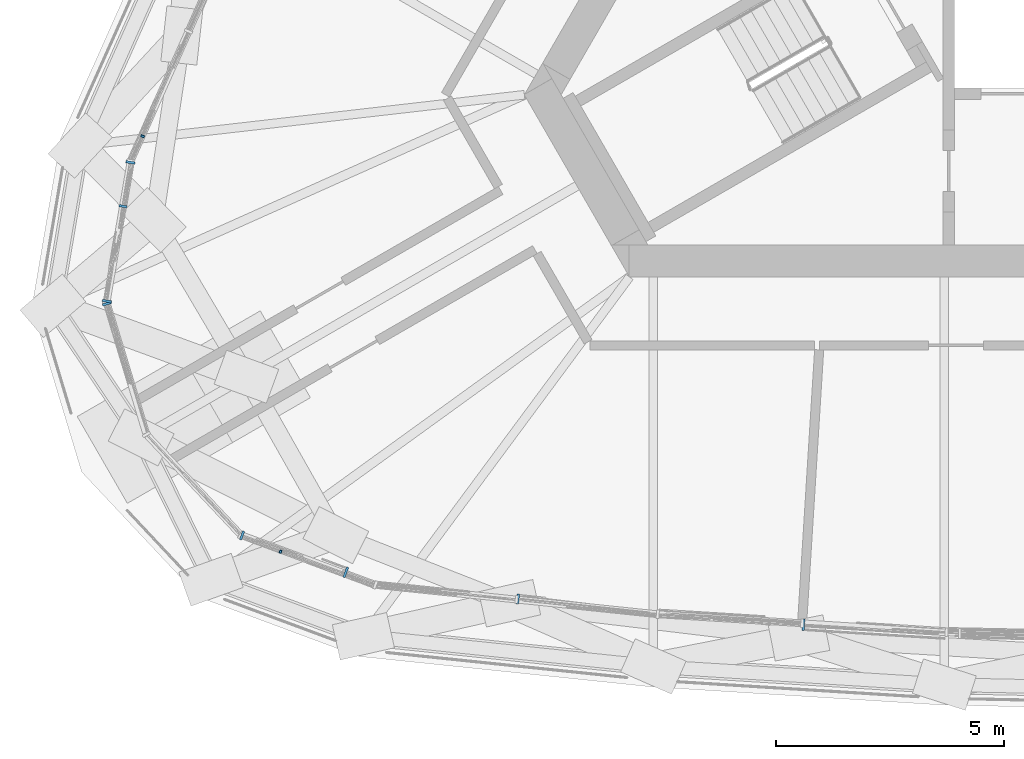
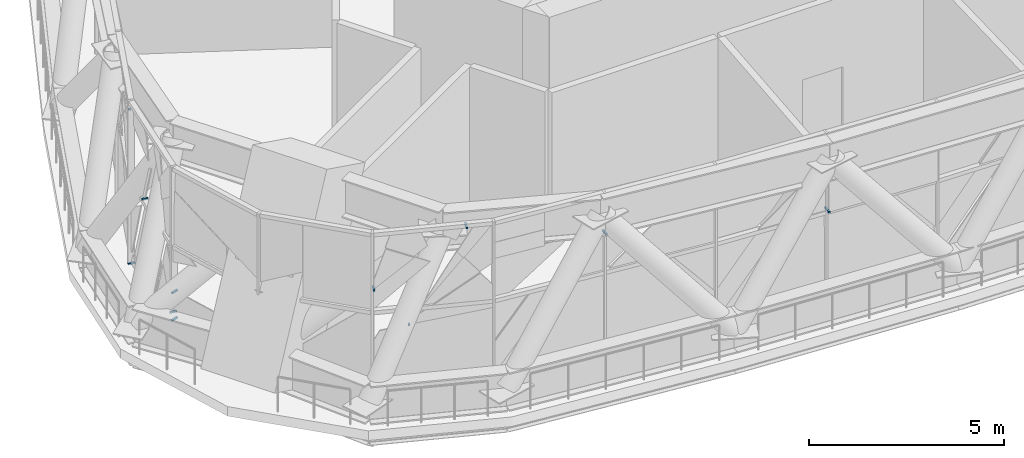
# One storey, part 25 of 33: 11 discrete accessories, 3 elements without a shape of their own.
"""IFC4 building model written with IfcOpenShell, lengths in metres."""

from ifc_helpers import new_model, si_unit, direction, frame, origin, origin_2d, place, context, subcontext, project, spatial, rectangle, extrude, material, layer, layer_set, type_object, element, aggregate, save


model = new_model("IFC4")

# Units and contexts
model_context = context("Model", 3, precision=1e-05, world=origin(), true_north=direction((0.0, 1.0)))
body_context = subcontext(model_context, "Body", "Model", "MODEL_VIEW")
ifc_project = project(units=[si_unit("LENGTHUNIT", "METRE"), si_unit("AREAUNIT", "SQUARE_METRE"), si_unit("VOLUMEUNIT", "CUBIC_METRE"), si_unit("PLANEANGLEUNIT", "RADIAN"), si_unit("MASSUNIT", "GRAM", prefix="KILO")], contexts=[model_context])

# Site, building, storey
site_placement = place(None, origin())
site = spatial("IfcSite", under=ifc_project, at=site_placement, CompositionType="ELEMENT")
building_placement = place(site_placement, origin())
building = spatial("IfcBuilding", under=site, at=building_placement, Name="Mestral Congress Tower", CompositionType="ELEMENT")
storey_placement = place(building_placement, frame((0.0, 0.0, 256.199951171875)))
storey = spatial("IfcBuildingStorey", under=building, at=storey_placement, Name="L60", CompositionType="ELEMENT", Elevation=256.199951171875)

# Curtain wall, discrete accessories
ifc_material_1 = material(Name="Clear low-emissivity double glazing", Category="glass")
curtain_wall_type = type_object("IfcCurtainWallType", Name="Facade refuge band screen", PredefinedType="USERDEFINED", material=ifc_material_1)
placement = place(storey_placement, origin())
curtain_wall_1 = element("IfcCurtainWall", 1, at=placement, inside=storey, type_object=curtain_wall_type, Name="Facade refuge band screen face 1", ObjectType="CURTAIN WALL", PredefinedType="USERDEFINED")
ifc_material_2 = material(Name="Steel S355", Category="steel")
ifc_layer = layer(ifc_material_2, 0.050048828125)
ifc_layer_set = layer_set([ifc_layer], Name="Steel S355")
discrete_accessory_type = type_object("IfcDiscreteAccessoryType", Name="Facade bracket", PredefinedType="BRACKET", material=ifc_layer_set)
discrete_accessory_1_placement = place(storey_placement, frame((-15.758544921875, -17.419189453125, 3.77392578125), z_axis=(0.0, 0.0, 1.0), x_axis=(0.994604228294, -0.103742127705, 0.0)))
discrete_accessory_1 = element("IfcDiscreteAccessory", 2, at=discrete_accessory_1_placement, type_object=discrete_accessory_type, Name="Facade bracket", PredefinedType="BRACKET", context=body_context, shape_type="SweptSolid", body=[
    extrude(rectangle(XDim=0.052978515625, YDim=0.224609375, at=origin_2d()), origin(), (0.0, 0.0, 1.0), 0.050048828125),
])
discrete_accessory_2_placement = place(storey_placement, frame((-9.4912109375, -17.9833984375, 2.63525390625), z_axis=(0.0, 0.0, 1.0), x_axis=(0.99806185884, -0.062229622595, 0.0)))
discrete_accessory_2 = element("IfcDiscreteAccessory", 3, at=discrete_accessory_2_placement, type_object=discrete_accessory_type, Name="Facade bracket", PredefinedType="BRACKET", context=body_context, shape_type="SweptSolid", body=[
    extrude(rectangle(XDim=0.050048828125, YDim=0.260009765625, at=origin_2d()), origin(), (0.0, 0.0, 1.0), 0.050048828125),
])
aggregate(curtain_wall_1, [discrete_accessory_1, discrete_accessory_2])

# Curtain wall, discrete accessory
curtain_wall_2 = element("IfcCurtainWall", 4, at=placement, inside=storey, type_object=curtain_wall_type, Name="Facade refuge band screen face 3", ObjectType="CURTAIN WALL", PredefinedType="USERDEFINED")
discrete_accessory_3_placement = place(storey_placement, frame((-23.996337890625, -7.259521484375, 4.36279296875), z_axis=(0.0, 0.0, 1.0), x_axis=(-0.407597458613, -0.913161711709, 0.0)))
discrete_accessory_3 = element("IfcDiscreteAccessory", 5, at=discrete_accessory_3_placement, type_object=discrete_accessory_type, Name="Facade bracket", PredefinedType="BRACKET", context=body_context, shape_type="SweptSolid", body=[
    extrude(rectangle(XDim=0.050048828125, YDim=0.076416015625, at=origin_2d()), origin(), (0.0, 0.0, 1.0), 0.050048828125),
])
aggregate(curtain_wall_2, [discrete_accessory_3])

# Curtain wall, discrete accessories
curtain_wall_3 = element("IfcCurtainWall", 6, at=placement, inside=storey, type_object=curtain_wall_type, Name="Facade refuge band screen corner 3", ObjectType="CURTAIN WALL", PredefinedType="USERDEFINED")
discrete_accessory_4_placement = place(storey_placement, frame((-24.78369140625, -10.87939453125, 0.48486328125), z_axis=(0.0, 0.0, 1.0), x_axis=(-0.167630847602, -0.985849835894, 0.0)))
discrete_accessory_4 = element("IfcDiscreteAccessory", 7, at=discrete_accessory_4_placement, type_object=discrete_accessory_type, Name="Facade bracket", PredefinedType="BRACKET", context=body_context, shape_type="SweptSolid", body=[
    extrude(rectangle(XDim=0.050048828125, YDim=0.199951171875, at=origin_2d()), origin(), (0.0, 0.0, 1.0), 0.050048828125),
])
discrete_accessory_5_placement = place(storey_placement, frame((-21.8134765625, -16.0234375, 3.2939453125), z_axis=(0.0, 0.0, 1.0), x_axis=(0.937601598668, -0.34771143521, 0.0)))
discrete_accessory_5 = element("IfcDiscreteAccessory", 8, at=discrete_accessory_5_placement, type_object=discrete_accessory_type, Name="Facade bracket", PredefinedType="BRACKET", context=body_context, shape_type="SweptSolid", body=[
    extrude(rectangle(XDim=0.050048828125, YDim=0.199951171875, at=origin_2d()), origin(), (0.0, 0.0, 1.0), 0.050048828125),
])
discrete_accessory_6_placement = place(storey_placement, frame((-24.264892578125, -7.833984375, -0.02490234375), z_axis=(0.0, 0.0, 1.0), x_axis=(-0.167560301238, -0.985861828782, 0.0)))
discrete_accessory_6 = element("IfcDiscreteAccessory", 9, at=discrete_accessory_6_placement, type_object=discrete_accessory_type, Name="Facade bracket", PredefinedType="BRACKET", context=body_context, shape_type="SweptSolid", body=[
    extrude(rectangle(XDim=0.05419921875, YDim=0.199951171875, at=origin_2d()), origin(), (0.0, 0.0, 1.0), 0.050048828125),
])
discrete_accessory_7_placement = place(storey_placement, frame((-24.42724609375, -8.796875, 2.63525390625), z_axis=(0.0, 0.0, 1.0), x_axis=(-0.16746222316, -0.985878493433, 0.0)))
discrete_accessory_7 = element("IfcDiscreteAccessory", 10, at=discrete_accessory_7_placement, type_object=discrete_accessory_type, Name="Facade bracket", PredefinedType="BRACKET", context=body_context, shape_type="SweptSolid", body=[
    extrude(rectangle(XDim=0.050048828125, YDim=0.17041015625, at=origin_2d()), origin(), (0.0, 0.0, 1.0), 0.050048828125),
])
discrete_accessory_8_placement = place(storey_placement, frame((-24.779296875, -10.93701171875, 1.15087890625), z_axis=(0.0, 0.0, 1.0), x_axis=(0.288762780664, -0.957400677096, 0.0)))
discrete_accessory_8 = element("IfcDiscreteAccessory", 11, at=discrete_accessory_8_placement, type_object=discrete_accessory_type, Name="Facade bracket", PredefinedType="BRACKET", context=body_context, shape_type="SweptSolid", body=[
    extrude(rectangle(XDim=0.0517578125, YDim=0.199951171875, at=origin_2d()), origin(), (0.0, 0.0, 1.0), 0.050048828125),
])
discrete_accessory_9_placement = place(storey_placement, frame((-24.779541015625, -10.9365234375, 0.294921875), z_axis=(0.0, 0.0, 1.0), x_axis=(0.288731031896, -0.957410252306, 0.0)))
discrete_accessory_9 = element("IfcDiscreteAccessory", 12, at=discrete_accessory_9_placement, type_object=discrete_accessory_type, Name="Facade bracket", PredefinedType="BRACKET", context=body_context, shape_type="SweptSolid", body=[
    extrude(rectangle(XDim=0.052490234375, YDim=0.199951171875, at=origin_2d()), origin(), (0.0, 0.0, 1.0), 0.050048828125),
])
discrete_accessory_10_placement = place(storey_placement, frame((-20.96875, -16.378662109375, 2.08740234375), z_axis=(0.0, 0.0, 1.0), x_axis=(0.937571251551, -0.34779325506, 0.0)))
discrete_accessory_10 = element("IfcDiscreteAccessory", 13, at=discrete_accessory_10_placement, type_object=discrete_accessory_type, Name="Facade bracket", PredefinedType="BRACKET", context=body_context, shape_type="SweptSolid", body=[
    extrude(rectangle(XDim=0.050048828125, YDim=0.067626953125, at=origin_2d()), origin(), (0.0, 0.0, 1.0), 0.050048828125),
])
discrete_accessory_11_placement = place(storey_placement, frame((-19.53662109375, -16.831298828125, 4.955078125), z_axis=(0.0, 0.0, 1.0), x_axis=(0.93760038492, -0.347714708054, 0.0)))
discrete_accessory_11 = element("IfcDiscreteAccessory", 14, at=discrete_accessory_11_placement, type_object=discrete_accessory_type, Name="Facade bracket", PredefinedType="BRACKET", context=body_context, shape_type="SweptSolid", body=[
    extrude(rectangle(XDim=0.050048828125, YDim=0.238037109375, at=origin_2d()), origin(), (0.0, 0.0, 1.0), 0.050048828125),
])
aggregate(curtain_wall_3, [discrete_accessory_4, discrete_accessory_5, discrete_accessory_6, discrete_accessory_7, discrete_accessory_8, discrete_accessory_9, discrete_accessory_10, discrete_accessory_11])

save(model, "model.ifc")
